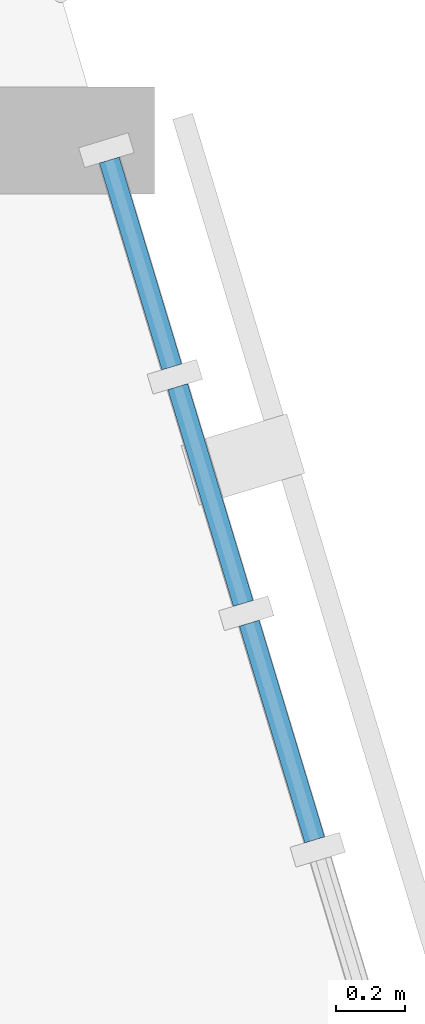
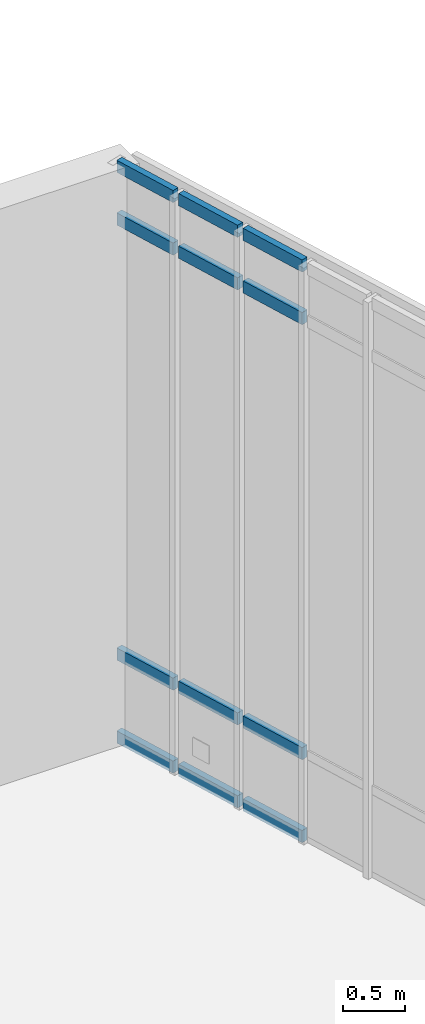
# One storey, part 64 of 135: 12 members, 1 element without a shape of its own.
"""IFC4 building model written with IfcOpenShell, lengths in metres."""

from ifc_helpers import new_model, si_unit, direction, frame, origin, origin_2d, place, context, subcontext, project, spatial, rectangle, extrude, material, material_profile, profile_set, type_object, element, aggregate, save


model = new_model("IFC4")

# Units and contexts
model_context = context("Model", 3, precision=1e-05, world=origin(), true_north=direction((0.0, 1.0)))
body_context = subcontext(model_context, "Body", "Model", "MODEL_VIEW")
ifc_project = project(units=[si_unit("LENGTHUNIT", "METRE"), si_unit("AREAUNIT", "SQUARE_METRE"), si_unit("VOLUMEUNIT", "CUBIC_METRE"), si_unit("PLANEANGLEUNIT", "RADIAN"), si_unit("MASSUNIT", "GRAM", prefix="KILO")], contexts=[model_context])

# Site, building, storey
site_placement = place(None, origin())
site = spatial("IfcSite", under=ifc_project, at=site_placement, CompositionType="ELEMENT")
building_placement = place(site_placement, origin())
building = spatial("IfcBuilding", under=site, at=building_placement, Name="Larkvane Passage Sports Hall", CompositionType="ELEMENT")
storey_placement = place(building_placement, frame((0.0, 0.0, 10.800048828125)))
storey = spatial("IfcBuildingStorey", under=building, at=storey_placement, Name="L02", CompositionType="ELEMENT", Elevation=10.800048828125)

# Curtain wall, members
ifc_material_1 = material(Name="Thermally broken aluminium and low-E glazing", Category="aluminium")
curtain_wall_type = type_object("IfcCurtainWallType", Name="CW-UNIT-COURT", PredefinedType="USERDEFINED", material=ifc_material_1)
curtain_wall_placement = place(storey_placement, origin())
curtain_wall = element("IfcCurtainWall", 1, at=curtain_wall_placement, inside=storey, type_object=curtain_wall_type, Name="Curtain wall CW5-L02-068", ObjectType="UNITISED CURTAIN WALL", PredefinedType="USERDEFINED")
ifc_material_2 = material(Name="Anodised aluminium 6063-T6", Category="aluminium")
ifc_material_profile = material_profile(ifc_material_2, rectangle(XDim=0.06005859375, YDim=0.1201171875, at=origin_2d()), Name="ALU-TRN-60x120")
ifc_profile_set = profile_set([ifc_material_profile], Name="Anodised aluminium 6063-T6")
member_type = type_object("IfcMemberType", Name="CW-TRN-60x120", PredefinedType="USERDEFINED", material=ifc_profile_set)
member_1_placement = place(storey_placement, frame((149.71728515625, 85.142578125, 0.030029296875), z_axis=(0.289206780862, -0.957266649322, 0.0), x_axis=(0.957266649322, 0.289206780862, 0.0)))
member_1 = element("IfcMember", 2, at=member_1_placement, type_object=member_type, Name="CW-01 transom 1.1", ObjectType="TRANSOM", PredefinedType="USERDEFINED", context=body_context, shape_type="SweptSolid", body=[
    extrude(rectangle(XDim=0.06005859375, YDim=0.1201171875, at=origin_2d()), origin(), (0.0, 0.0, 1.0), 0.62646484375),
])
member_2_placement = place(storey_placement, frame((149.71728515625, 85.142578125, 0.849853515625), z_axis=(0.289206780862, -0.957266649322, 0.0), x_axis=(0.957266649322, 0.289206780862, 0.0)))
member_2 = element("IfcMember", 3, at=member_2_placement, type_object=member_type, Name="CW-01 transom 1.2", ObjectType="TRANSOM", PredefinedType="USERDEFINED", context=body_context, shape_type="SweptSolid", body=[
    extrude(rectangle(XDim=0.06005859375, YDim=0.1201171875, at=origin_2d()), origin(), (0.0, 0.0, 1.0), 0.62646484375),
])
member_3_placement = place(storey_placement, frame((149.71728515625, 85.142578125, 5.14990234375), z_axis=(0.289206780862, -0.957266649322, 0.0), x_axis=(0.957266649322, 0.289206780862, 0.0)))
member_3 = element("IfcMember", 4, at=member_3_placement, type_object=member_type, Name="CW-01 transom 1.3", ObjectType="TRANSOM", PredefinedType="USERDEFINED", context=body_context, shape_type="SweptSolid", body=[
    extrude(rectangle(XDim=0.06005859375, YDim=0.1201171875, at=origin_2d()), origin(), (0.0, 0.0, 1.0), 0.62646484375),
])
member_4_placement = place(storey_placement, frame((149.71728515625, 85.142578125, 5.669921875), z_axis=(0.289206780862, -0.957266649322, 0.0), x_axis=(0.957266649322, 0.289206780862, 0.0)))
member_4 = element("IfcMember", 5, at=member_4_placement, type_object=member_type, Name="CW-01 transom 1.4", ObjectType="TRANSOM", PredefinedType="USERDEFINED", context=body_context, shape_type="SweptSolid", body=[
    extrude(rectangle(XDim=0.06005859375, YDim=0.1201171875, at=origin_2d()), origin(), (0.0, 0.0, 1.0), 0.62646484375),
])
member_5_placement = place(storey_placement, frame((149.915771484375, 84.485595703125, 0.030029296875), z_axis=(0.289326107057, -0.957230590702, 0.0), x_axis=(0.957230590702, 0.289326107057, 0.0)))
member_5 = element("IfcMember", 6, at=member_5_placement, type_object=member_type, Name="CW-01 transom 2.1", ObjectType="TRANSOM", PredefinedType="USERDEFINED", context=body_context, shape_type="SweptSolid", body=[
    extrude(rectangle(XDim=0.06005859375, YDim=0.1201171875, at=origin_2d()), origin(), (0.0, 0.0, 1.0), 0.656494140625),
])
member_6_placement = place(storey_placement, frame((149.915771484375, 84.485595703125, 0.849853515625), z_axis=(0.289326107057, -0.957230590702, 0.0), x_axis=(0.957230590702, 0.289326107057, 0.0)))
member_6 = element("IfcMember", 7, at=member_6_placement, type_object=member_type, Name="CW-01 transom 2.2", ObjectType="TRANSOM", PredefinedType="USERDEFINED", context=body_context, shape_type="SweptSolid", body=[
    extrude(rectangle(XDim=0.06005859375, YDim=0.1201171875, at=origin_2d()), origin(), (0.0, 0.0, 1.0), 0.656494140625),
])
member_7_placement = place(storey_placement, frame((149.915771484375, 84.485595703125, 5.14990234375), z_axis=(0.289326107057, -0.957230590702, 0.0), x_axis=(0.957230590702, 0.289326107057, 0.0)))
member_7 = element("IfcMember", 8, at=member_7_placement, type_object=member_type, Name="CW-01 transom 2.3", ObjectType="TRANSOM", PredefinedType="USERDEFINED", context=body_context, shape_type="SweptSolid", body=[
    extrude(rectangle(XDim=0.06005859375, YDim=0.1201171875, at=origin_2d()), origin(), (0.0, 0.0, 1.0), 0.656494140625),
])
member_8_placement = place(storey_placement, frame((149.915771484375, 84.485595703125, 5.669921875), z_axis=(0.289326107057, -0.957230590702, 0.0), x_axis=(0.957230590702, 0.289326107057, 0.0)))
member_8 = element("IfcMember", 9, at=member_8_placement, type_object=member_type, Name="CW-01 transom 2.4", ObjectType="TRANSOM", PredefinedType="USERDEFINED", context=body_context, shape_type="SweptSolid", body=[
    extrude(rectangle(XDim=0.06005859375, YDim=0.1201171875, at=origin_2d()), origin(), (0.0, 0.0, 1.0), 0.656494140625),
])
member_9_placement = place(storey_placement, frame((150.123046875, 83.7998046875, 0.030029296875), z_axis=(0.289088227772, -0.957302458246, 0.0), x_axis=(0.957302458246, 0.289088227772, 0.0)))
member_9 = element("IfcMember", 10, at=member_9_placement, type_object=member_type, Name="CW-01 transom 3.1", ObjectType="TRANSOM", PredefinedType="USERDEFINED", context=body_context, shape_type="SweptSolid", body=[
    extrude(rectangle(XDim=0.06005859375, YDim=0.1201171875, at=origin_2d()), origin(), (0.0, 0.0, 1.0), 0.65625),
])
member_10_placement = place(storey_placement, frame((150.123046875, 83.7998046875, 0.849853515625), z_axis=(0.289088227772, -0.957302458246, 0.0), x_axis=(0.957302458246, 0.289088227772, 0.0)))
member_10 = element("IfcMember", 11, at=member_10_placement, type_object=member_type, Name="CW-01 transom 3.2", ObjectType="TRANSOM", PredefinedType="USERDEFINED", context=body_context, shape_type="SweptSolid", body=[
    extrude(rectangle(XDim=0.06005859375, YDim=0.1201171875, at=origin_2d()), origin(), (0.0, 0.0, 1.0), 0.65625),
])
member_11_placement = place(storey_placement, frame((150.123046875, 83.7998046875, 5.14990234375), z_axis=(0.289088227772, -0.957302458246, 0.0), x_axis=(0.957302458246, 0.289088227772, 0.0)))
member_11 = element("IfcMember", 12, at=member_11_placement, type_object=member_type, Name="CW-01 transom 3.3", ObjectType="TRANSOM", PredefinedType="USERDEFINED", context=body_context, shape_type="SweptSolid", body=[
    extrude(rectangle(XDim=0.06005859375, YDim=0.1201171875, at=origin_2d()), origin(), (0.0, 0.0, 1.0), 0.65625),
])
member_12_placement = place(storey_placement, frame((150.123046875, 83.7998046875, 5.669921875), z_axis=(0.289088227772, -0.957302458246, 0.0), x_axis=(0.957302458246, 0.289088227772, 0.0)))
member_12 = element("IfcMember", 13, at=member_12_placement, type_object=member_type, Name="CW-01 transom 3.4", ObjectType="TRANSOM", PredefinedType="USERDEFINED", context=body_context, shape_type="SweptSolid", body=[
    extrude(rectangle(XDim=0.06005859375, YDim=0.1201171875, at=origin_2d()), origin(), (0.0, 0.0, 1.0), 0.65625),
])
aggregate(curtain_wall, [member_1, member_2, member_3, member_4, member_5, member_6, member_7, member_8, member_9, member_10, member_11, member_12])

save(model, "model.ifc")
